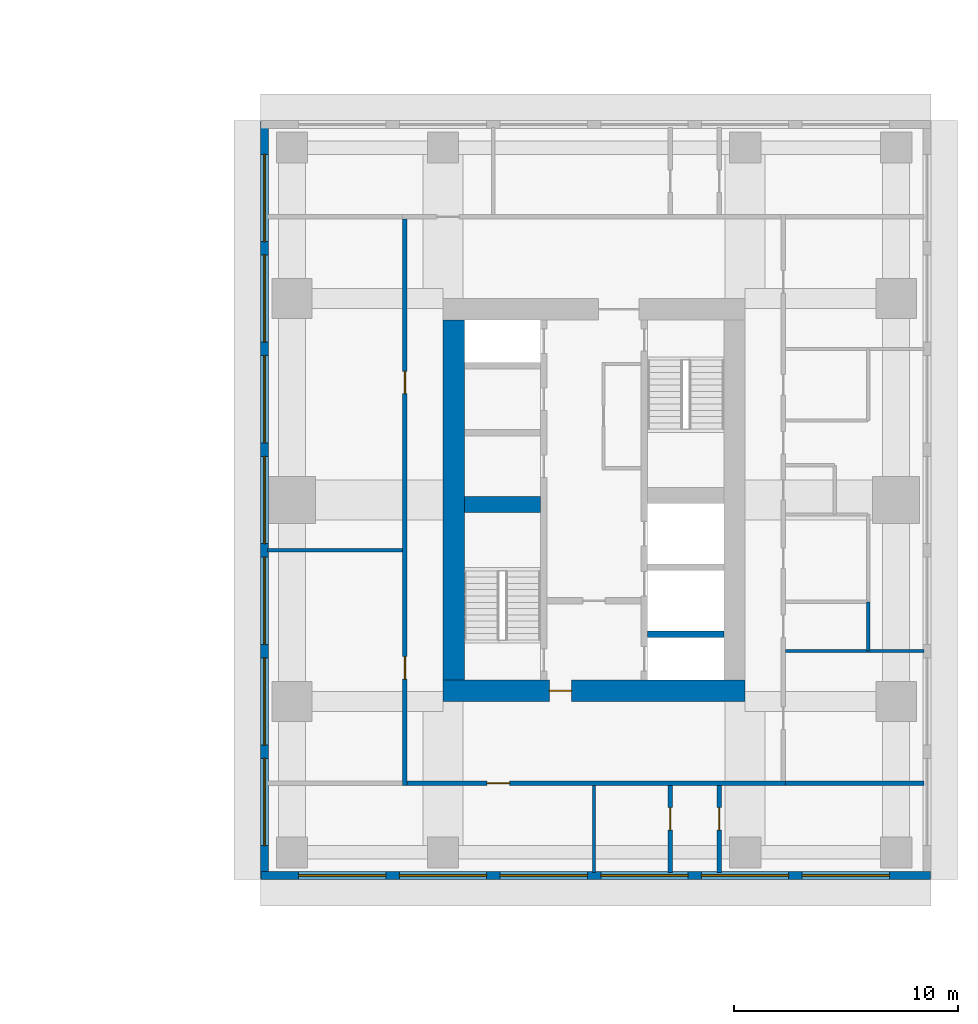
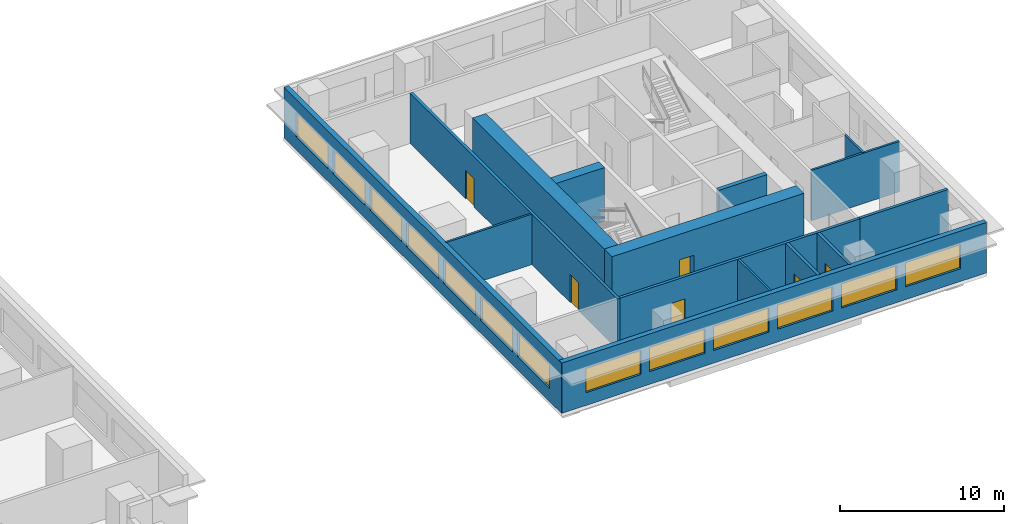
# One storey, part 6 of 11: 15 walls, 13 windows, 6 doors, 19 openings.
"""IFC4 building model written with IfcOpenShell, lengths in metres."""

from ifc_helpers import new_model, si_unit, direction, frame, frame_2d, origin, place, context, subcontext, project, spatial, rectangle, extrude, material, layer, layer_set, type_object, element, fill, save


model = new_model("IFC4")

# Units and contexts
model_context = context("Model", 3, precision=1e-05, world=origin(), true_north=direction((0.0, 1.0)))
body_context = subcontext(model_context, "Body", "Model", "MODEL_VIEW")
ifc_project = project(units=[si_unit("LENGTHUNIT", "METRE"), si_unit("AREAUNIT", "SQUARE_METRE"), si_unit("VOLUMEUNIT", "CUBIC_METRE"), si_unit("PLANEANGLEUNIT", "RADIAN"), si_unit("MASSUNIT", "GRAM", prefix="KILO")], contexts=[model_context])

# Site, building, storey
site_placement = place(None, origin())
site = spatial("IfcSite", under=ifc_project, at=site_placement, CompositionType="ELEMENT")
building_placement = place(site_placement, origin())
building = spatial("IfcBuilding", under=site, at=building_placement, Name="Namib Vertical Campus", CompositionType="ELEMENT")
storey_placement = place(building_placement, frame((0.0, 0.0, 189.0)))
storey = spatial("IfcBuildingStorey", under=building, at=storey_placement, Name="L44", CompositionType="ELEMENT", Elevation=189.0)

# Walls
ifc_material_1 = material(Name="Concrete C60/75", Category="concrete")
ifc_layer_1 = layer(ifc_material_1, 0.300048828125)
ifc_layer_set_1 = layer_set([ifc_layer_1], Name="Concrete C60/75")
wall_type_1 = type_object("IfcWallType", Name="Core inner wall 300", PredefinedType="SHEAR", material=ifc_layer_set_1)
wall_1_placement = place(storey_placement, frame((83.39990234375, 14.25, 0.0), z_axis=(0.0, 0.0, 1.0), x_axis=(1.0, 0.0, 0.0)))
element("IfcWall", 1, at=wall_1_placement, inside=storey, type_object=wall_type_1, Name="Core inner wall B L44 W5", PredefinedType="SHEAR", context=body_context, shape_type="SweptSolid", body=[
    extrude(rectangle(XDim=3.400146484375, YDim=0.300048828125, at=frame_2d((1.7001953125, 0.0))), origin(), (0.0, 0.0, 1.0), 4.0),
])
ifc_material_2 = material(Name="Concrete C60/75", Category="concrete")
ifc_layer_2 = layer(ifc_material_2, 0.699951171875)
ifc_layer_set_2 = layer_set([ifc_layer_2], Name="Concrete C60/75")
wall_type_2 = type_object("IfcWallType", Name="Core shear wall 700", PredefinedType="SHEAR", material=ifc_layer_set_2)
wall_2_placement = place(storey_placement, frame((75.199951171875, 20.050048828125, 0.0), z_axis=(0.0, 0.0, 1.0), x_axis=(1.0, 0.0, 0.0)))
element("IfcWall", 2, at=wall_2_placement, inside=storey, type_object=wall_type_2, Name="Core shear wall B L44 W3", PredefinedType="SHEAR", context=body_context, shape_type="SweptSolid", body=[
    extrude(rectangle(XDim=3.400146484375, YDim=0.699951171875, at=frame_2d((1.7001953125, 0.0))), origin(), (0.0, 0.0, 1.0), 4.0),
])

# Wall, opening, door
ifc_material_3 = material(Name="Concrete C60/75", Category="concrete")
ifc_layer_3 = layer(ifc_material_3, 0.949951171875)
ifc_layer_set_3 = layer_set([ifc_layer_3], Name="Concrete C60/75")
wall_type_3 = type_object("IfcWallType", Name="Core wall 950", PredefinedType="SHEAR", material=ifc_layer_set_3)
wall_3_placement = place(storey_placement, frame((74.25, 11.72509765625, 0.0), z_axis=(0.0, 0.0, 1.0), x_axis=(1.0, 0.0, 0.0)))
wall_3 = element("IfcWall", 3, at=wall_3_placement, inside=storey, type_object=wall_type_3, Name="Core wall B L44 1", PredefinedType="SHEAR", context=body_context, shape_type="SweptSolid", body=[
    extrude(rectangle(XDim=13.5, YDim=0.949951171875, at=frame_2d((6.75, 0.0))), origin(), (0.0, 0.0, 1.0), 4.0),
])
opening_1_placement = place(wall_3_placement, frame((4.75, 0.0, 0.0)))
opening_1 = element("IfcOpeningElement", 4, at=opening_1_placement, cuts=wall_3, Name="Opening FD5", PredefinedType="OPENING", context=body_context, shape_type="SweptSolid", body=[
    extrude(rectangle(XDim=1.0, YDim=2.10009765625, at=frame_2d((0.5, 1.050048828125))), frame((0.0, 0.48486328125, 0.0), z_axis=(0.0, -1.0, 0.0), x_axis=(1.0, 0.0, 0.0)), (0.0, 0.0, 1.0), 0.969970703125),
])
ifc_material_4 = material(Name="Steel fire door", Category="steel")
door_type_1 = type_object("IfcDoorType", Name="Fire door 1000x2100 120 min", OperationType="SINGLE_SWING_RIGHT", PredefinedType="DOOR", material=ifc_material_4)
door_1_placement = place(opening_1_placement, origin())
door_1 = element("IfcDoor", 5, at=door_1_placement, inside=storey, type_object=door_type_1, Name="Firefighting lobby door FD5 B L44", OperationType="SINGLE_SWING_LEFT", OverallHeight=2.10009765625, OverallWidth=1.0, PredefinedType="DOOR", context=body_context, shape_type="SweptSolid", body=[
    extrude(rectangle(XDim=1.0, YDim=2.10009765625, at=frame_2d((0.5, 1.050048828125))), frame((0.0, 0.02490234375, 0.0), z_axis=(0.0, -1.0, 0.0), x_axis=(1.0, 0.0, 0.0)), (0.0, 0.0, 1.0), 0.050048828125),
])
fill(opening_1, door_1)

# Wall
wall_4_placement = place(storey_placement, frame((74.72509765625, 28.300048828125, 0.0), z_axis=(0.0, 0.0, 1.0), x_axis=(0.0, -1.0, 0.0)))
element("IfcWall", 6, at=wall_4_placement, inside=storey, type_object=wall_type_3, Name="Core wall B L44 4", PredefinedType="SHEAR", context=body_context, shape_type="SweptSolid", body=[
    extrude(rectangle(XDim=16.10009765625, YDim=0.949951171875, at=frame_2d((8.050048828125, 0.0))), origin(), (0.0, 0.0, 1.0), 4.0),
])

# Wall, opening, door
ifc_material_5 = material(Name="Concrete masonry", Category="masonry")
ifc_layer_4 = layer(ifc_material_5, 0.199951171875)
ifc_layer_set_4 = layer_set([ifc_layer_4], Name="Corridor wall 200")
wall_type_4 = type_object("IfcWallType", Name="Corridor wall 200", PredefinedType="SOLIDWALL", material=ifc_layer_set_4)
wall_5_placement = place(storey_placement, frame((72.64990234375, 7.60009765625, 0.0), z_axis=(0.0, 0.0, 1.0), x_axis=(1.0, 0.0, 0.0)))
wall_5 = element("IfcWall", 7, at=wall_5_placement, inside=storey, type_object=wall_type_4, Name="Corridor wall B L44 CS", PredefinedType="SOLIDWALL", context=body_context, shape_type="SweptSolid", body=[
    extrude(rectangle(XDim=16.900146484375, YDim=0.199951171875, at=frame_2d((8.4501953125, 0.0))), origin(), (0.0, 0.0, 1.0), 3.75),
])
opening_2_placement = place(wall_5_placement, frame((3.574951171875, 0.0, 0.0)))
opening_2 = element("IfcOpeningElement", 8, at=opening_2_placement, cuts=wall_5, Name="Opening CD1", PredefinedType="OPENING", context=body_context, shape_type="SweptSolid", body=[
    extrude(rectangle(XDim=1.0, YDim=2.10009765625, at=frame_2d((0.5, 1.050048828125))), frame((0.0, 0.10986328125, 0.0), z_axis=(0.0, -1.0, 0.0), x_axis=(1.0, 0.0, 0.0)), (0.0, 0.0, 1.0), 0.219970703125),
])
ifc_material_6 = material(Name="Timber fire door leaf", Category="wood")
door_type_2 = type_object("IfcDoorType", Name="Corridor door 1000x2100 20 min", OperationType="SINGLE_SWING_LEFT", PredefinedType="DOOR", material=ifc_material_6)
door_2_placement = place(opening_2_placement, frame((1.0, 0.0, 0.0), z_axis=(0.0, 0.0, 1.0), x_axis=(-1.0, 0.0, 0.0)))
door_2 = element("IfcDoor", 9, at=door_2_placement, inside=storey, type_object=door_type_2, Name="Door CD1 B44-01", OperationType="SINGLE_SWING_LEFT", OverallHeight=2.10009765625, OverallWidth=1.0, PredefinedType="DOOR", context=body_context, shape_type="SweptSolid", body=[
    extrude(rectangle(XDim=1.0, YDim=2.10009765625, at=frame_2d((0.5, 1.050048828125))), frame((0.0, 0.02490234375, 0.0), z_axis=(0.0, -1.0, 0.0), x_axis=(1.0, 0.0, 0.0)), (0.0, 0.0, 1.0), 0.050048828125),
])
fill(opening_2, door_2)

# Wall, openings, doors
wall_6_placement = place(storey_placement, frame((72.550048828125, 32.800048828125, 0.0), z_axis=(0.0, 0.0, 1.0), x_axis=(0.0, -1.0, 0.0)))
wall_6 = element("IfcWall", 10, at=wall_6_placement, inside=storey, type_object=wall_type_4, Name="Corridor wall B L44 CW", PredefinedType="SOLIDWALL", context=body_context, shape_type="SweptSolid", body=[
    extrude(rectangle(XDim=25.300048828125, YDim=0.199951171875, at=frame_2d((12.64990234375, 0.0))), origin(), (0.0, 0.0, 1.0), 3.75),
])
opening_3_placement = place(wall_6_placement, frame((19.550048828125, 0.0, 0.0)))
opening_3 = element("IfcOpeningElement", 11, at=opening_3_placement, cuts=wall_6, Name="Opening CD1", PredefinedType="OPENING", context=body_context, shape_type="SweptSolid", body=[
    extrude(rectangle(XDim=1.0, YDim=2.10009765625, at=frame_2d((0.5, 1.050048828125))), frame((0.0, 0.10986328125, 0.0), z_axis=(0.0, -1.0, 0.0), x_axis=(1.0, 0.0, 0.0)), (0.0, 0.0, 1.0), 0.219970703125),
])
opening_4_placement = place(wall_6_placement, frame((6.800048828125, 0.0, 0.0)))
opening_4 = element("IfcOpeningElement", 12, at=opening_4_placement, cuts=wall_6, Name="Opening CD1", PredefinedType="OPENING", context=body_context, shape_type="SweptSolid", body=[
    extrude(rectangle(XDim=1.0, YDim=2.10009765625, at=frame_2d((0.5, 1.050048828125))), frame((0.0, 0.10986328125, 0.0), z_axis=(0.0, -1.0, 0.0), x_axis=(1.0, 0.0, 0.0)), (0.0, 0.0, 1.0), 0.219970703125),
])
door_3_placement = place(opening_3_placement, frame((1.0, 0.0, 0.0), z_axis=(0.0, 0.0, 1.0), x_axis=(-1.0, 0.0, 0.0)))
door_3 = element("IfcDoor", 13, at=door_3_placement, inside=storey, type_object=door_type_2, Name="Door CD1 B44-14", OperationType="SINGLE_SWING_RIGHT", OverallHeight=2.10009765625, OverallWidth=1.0, PredefinedType="DOOR", context=body_context, shape_type="SweptSolid", body=[
    extrude(rectangle(XDim=1.0, YDim=2.10009765625, at=frame_2d((0.5, 1.050048828125))), frame((0.0, 0.02490234375, 0.0), z_axis=(0.0, -1.0, 0.0), x_axis=(1.0, 0.0, 0.0)), (0.0, 0.0, 1.0), 0.050048828125),
])
fill(opening_3, door_3)
door_4_placement = place(opening_4_placement, frame((1.0, 0.0, 0.0), z_axis=(0.0, 0.0, 1.0), x_axis=(-1.0, 0.0, 0.0)))
door_4 = element("IfcDoor", 14, at=door_4_placement, inside=storey, type_object=door_type_2, Name="Door CD1 B44-15", OperationType="SINGLE_SWING_RIGHT", OverallHeight=2.10009765625, OverallWidth=1.0, PredefinedType="DOOR", context=body_context, shape_type="SweptSolid", body=[
    extrude(rectangle(XDim=1.0, YDim=2.10009765625, at=frame_2d((0.5, 1.050048828125))), frame((0.0, 0.02490234375, 0.0), z_axis=(0.0, -1.0, 0.0), x_axis=(1.0, 0.0, 0.0)), (0.0, 0.0, 1.0), 0.050048828125),
])
fill(opening_4, door_4)

# Wall, opening, door
wall_7_placement = place(storey_placement, frame((84.39990234375, 3.60009765625, 0.0), z_axis=(0.0, 0.0, 1.0), x_axis=(0.0, 1.0, 0.0)))
wall_7 = element("IfcWall", 15, at=wall_7_placement, inside=storey, type_object=wall_type_4, Name="Corridor wall B L44 SPS1", PredefinedType="SOLIDWALL", context=body_context, shape_type="SweptSolid", body=[
    extrude(rectangle(XDim=3.89990234375, YDim=0.199951171875, at=frame_2d((1.949951171875, 0.0))), origin(), (0.0, 0.0, 1.0), 3.75),
])
opening_5_placement = place(wall_7_placement, frame((1.89990234375, 0.0, 0.0)))
opening_5 = element("IfcOpeningElement", 16, at=opening_5_placement, cuts=wall_7, Name="Opening CD1", PredefinedType="OPENING", context=body_context, shape_type="SweptSolid", body=[
    extrude(rectangle(XDim=1.0, YDim=2.10009765625, at=frame_2d((0.5, 1.050048828125))), frame((0.0, 0.10986328125, 0.0), z_axis=(0.0, -1.0, 0.0), x_axis=(1.0, 0.0, 0.0)), (0.0, 0.0, 1.0), 0.219970703125),
])
door_5_placement = place(opening_5_placement, origin())
door_5 = element("IfcDoor", 17, at=door_5_placement, inside=storey, type_object=door_type_2, Name="Door CD1 B44-02", OperationType="SINGLE_SWING_RIGHT", OverallHeight=2.10009765625, OverallWidth=1.0, PredefinedType="DOOR", context=body_context, shape_type="SweptSolid", body=[
    extrude(rectangle(XDim=1.0, YDim=2.10009765625, at=frame_2d((0.5, 1.050048828125))), frame((0.0, 0.02490234375, 0.0), z_axis=(0.0, -1.0, 0.0), x_axis=(1.0, 0.0, 0.0)), (0.0, 0.0, 1.0), 0.050048828125),
])
fill(opening_5, door_5)

wall_8_placement = place(storey_placement, frame((86.60009765625, 7.5, 0.0), z_axis=(0.0, 0.0, 1.0), x_axis=(0.0, -1.0, 0.0)))
wall_8 = element("IfcWall", 18, at=wall_8_placement, inside=storey, type_object=wall_type_4, Name="Corridor wall B L44 SPS2", PredefinedType="SOLIDWALL", context=body_context, shape_type="SweptSolid", body=[
    extrude(rectangle(XDim=3.89990234375, YDim=0.199951171875, at=frame_2d((1.949951171875, 0.0))), origin(), (0.0, 0.0, 1.0), 3.75),
])
opening_6_placement = place(wall_8_placement, frame((1.0, 0.0, 0.0)))
opening_6 = element("IfcOpeningElement", 19, at=opening_6_placement, cuts=wall_8, Name="Opening CD1", PredefinedType="OPENING", context=body_context, shape_type="SweptSolid", body=[
    extrude(rectangle(XDim=1.0, YDim=2.10009765625, at=frame_2d((0.5, 1.050048828125))), frame((0.0, 0.10986328125, 0.0), z_axis=(0.0, -1.0, 0.0), x_axis=(1.0, 0.0, 0.0)), (0.0, 0.0, 1.0), 0.219970703125),
])
door_6_placement = place(opening_6_placement, origin())
door_6 = element("IfcDoor", 20, at=door_6_placement, inside=storey, type_object=door_type_2, Name="Door CD1 B44-03", OperationType="SINGLE_SWING_LEFT", OverallHeight=2.10009765625, OverallWidth=1.0, PredefinedType="DOOR", context=body_context, shape_type="SweptSolid", body=[
    extrude(rectangle(XDim=1.0, YDim=2.10009765625, at=frame_2d((0.5, 1.050048828125))), frame((0.0, 0.02490234375, 0.0), z_axis=(0.0, -1.0, 0.0), x_axis=(1.0, 0.0, 0.0)), (0.0, 0.0, 1.0), 0.050048828125),
])
fill(opening_6, door_6)

# Wall
wall_9_placement = place(storey_placement, frame((89.550048828125, 7.60009765625, 0.0), z_axis=(0.0, 0.0, 1.0), x_axis=(1.0, 0.0, 0.0)))
element("IfcWall", 21, at=wall_9_placement, inside=storey, type_object=wall_type_4, Name="Partition B L44 BSE", PredefinedType="SOLIDWALL", context=body_context, shape_type="SweptSolid", body=[
    extrude(rectangle(XDim=6.199951171875, YDim=0.199951171875, at=frame_2d((3.10009765625, 0.0))), origin(), (0.0, 0.0, 1.0), 3.75),
])

# Wall, openings, windows
ifc_material_7 = material(Name="Concrete C40/50", Category="concrete")
ifc_layer_5 = layer(ifc_material_7, 0.35009765625)
ifc_layer_set_5 = layer_set([ifc_layer_5], Name="Concrete C40/50")
wall_type_5 = type_object("IfcWallType", Name="External wall 350 bush-hammered concrete", PredefinedType="STANDARD", material=ifc_layer_set_5)
wall_10_placement = place(storey_placement, frame((66.1201171875, 3.47509765625, 0.0), z_axis=(0.0, 0.0, 1.0), x_axis=(1.0, 0.0, 0.0)))
wall_10 = element("IfcWall", 22, at=wall_10_placement, inside=storey, type_object=wall_type_5, Name="External wall L44 F01", PredefinedType="STANDARD", context=body_context, shape_type="SweptSolid", body=[
    extrude(rectangle(XDim=29.909912109375, YDim=0.35009765625, at=frame_2d((14.955078125, 0.0))), origin(), (0.0, 0.0, 1.0), 3.75),
])
opening_7_placement = place(wall_10_placement, frame((1.679931640625, 0.0, 0.949951171875)))
opening_7 = element("IfcOpeningElement", 23, at=opening_7_placement, cuts=wall_10, Name="Opening W3", PredefinedType="OPENING", context=body_context, shape_type="SweptSolid", body=[
    extrude(rectangle(XDim=3.89990234375, YDim=1.800048828125, at=frame_2d((1.949951171875, 0.89990234375))), frame((0.0, 0.18505859375, 0.0), z_axis=(0.0, -1.0, 0.0), x_axis=(1.0, 0.0, 0.0)), (0.0, 0.0, 1.0), 0.3701171875),
])
opening_8_placement = place(wall_10_placement, frame((6.179931640625, 0.0, 0.949951171875)))
opening_8 = element("IfcOpeningElement", 24, at=opening_8_placement, cuts=wall_10, Name="Opening W3", PredefinedType="OPENING", context=body_context, shape_type="SweptSolid", body=[
    extrude(rectangle(XDim=3.89990234375, YDim=1.800048828125, at=frame_2d((1.949951171875, 0.89990234375))), frame((0.0, 0.18505859375, 0.0), z_axis=(0.0, -1.0, 0.0), x_axis=(1.0, 0.0, 0.0)), (0.0, 0.0, 1.0), 0.3701171875),
])
opening_9_placement = place(wall_10_placement, frame((10.679931640625, 0.0, 0.949951171875)))
opening_9 = element("IfcOpeningElement", 25, at=opening_9_placement, cuts=wall_10, Name="Opening W3", PredefinedType="OPENING", context=body_context, shape_type="SweptSolid", body=[
    extrude(rectangle(XDim=3.89990234375, YDim=1.800048828125, at=frame_2d((1.949951171875, 0.89990234375))), frame((0.0, 0.18505859375, 0.0), z_axis=(0.0, -1.0, 0.0), x_axis=(1.0, 0.0, 0.0)), (0.0, 0.0, 1.0), 0.3701171875),
])
opening_10_placement = place(wall_10_placement, frame((15.179931640625, 0.0, 0.949951171875)))
opening_10 = element("IfcOpeningElement", 26, at=opening_10_placement, cuts=wall_10, Name="Opening W3", PredefinedType="OPENING", context=body_context, shape_type="SweptSolid", body=[
    extrude(rectangle(XDim=3.89990234375, YDim=1.800048828125, at=frame_2d((1.949951171875, 0.89990234375))), frame((0.0, 0.18505859375, 0.0), z_axis=(0.0, -1.0, 0.0), x_axis=(1.0, 0.0, 0.0)), (0.0, 0.0, 1.0), 0.3701171875),
])
opening_11_placement = place(wall_10_placement, frame((19.679931640625, 0.0, 0.949951171875)))
opening_11 = element("IfcOpeningElement", 27, at=opening_11_placement, cuts=wall_10, Name="Opening W3", PredefinedType="OPENING", context=body_context, shape_type="SweptSolid", body=[
    extrude(rectangle(XDim=3.89990234375, YDim=1.800048828125, at=frame_2d((1.949951171875, 0.89990234375))), frame((0.0, 0.18505859375, 0.0), z_axis=(0.0, -1.0, 0.0), x_axis=(1.0, 0.0, 0.0)), (0.0, 0.0, 1.0), 0.3701171875),
])
opening_12_placement = place(wall_10_placement, frame((24.179931640625, 0.0, 0.949951171875)))
opening_12 = element("IfcOpeningElement", 28, at=opening_12_placement, cuts=wall_10, Name="Opening W3", PredefinedType="OPENING", context=body_context, shape_type="SweptSolid", body=[
    extrude(rectangle(XDim=3.89990234375, YDim=1.800048828125, at=frame_2d((1.949951171875, 0.89990234375))), frame((0.0, 0.18505859375, 0.0), z_axis=(0.0, -1.0, 0.0), x_axis=(1.0, 0.0, 0.0)), (0.0, 0.0, 1.0), 0.3701171875),
])
ifc_material_8 = material(Name="Dark tinted glass in black aluminium frame", Category="aluminium")
window_type = type_object("IfcWindowType", Name="Ribbon window 3900x1800", PartitioningType="SINGLE_PANEL", PredefinedType="WINDOW", material=ifc_material_8)
window_1_placement = place(opening_7_placement, origin())
window_1 = element("IfcWindow", 29, at=window_1_placement, inside=storey, type_object=window_type, Name="Window W3 L44 F01-1", OverallHeight=1.800048828125, OverallWidth=3.89990234375, PartitioningType="SINGLE_PANEL", PredefinedType="WINDOW", context=body_context, shape_type="SweptSolid", body=[
    extrude(rectangle(XDim=3.89990234375, YDim=1.800048828125, at=frame_2d((1.949951171875, 0.89990234375))), frame((0.0, 0.030029296875, 0.0), z_axis=(0.0, -1.0, 0.0), x_axis=(1.0, 0.0, 0.0)), (0.0, 0.0, 1.0), 0.06005859375),
])
fill(opening_7, window_1)
window_2_placement = place(opening_8_placement, origin())
window_2 = element("IfcWindow", 30, at=window_2_placement, inside=storey, type_object=window_type, Name="Window W3 L44 F01-2", OverallHeight=1.800048828125, OverallWidth=3.89990234375, PartitioningType="SINGLE_PANEL", PredefinedType="WINDOW", context=body_context, shape_type="SweptSolid", body=[
    extrude(rectangle(XDim=3.89990234375, YDim=1.800048828125, at=frame_2d((1.949951171875, 0.89990234375))), frame((0.0, 0.030029296875, 0.0), z_axis=(0.0, -1.0, 0.0), x_axis=(1.0, 0.0, 0.0)), (0.0, 0.0, 1.0), 0.06005859375),
])
fill(opening_8, window_2)
window_3_placement = place(opening_9_placement, origin())
window_3 = element("IfcWindow", 31, at=window_3_placement, inside=storey, type_object=window_type, Name="Window W3 L44 F01-3", OverallHeight=1.800048828125, OverallWidth=3.89990234375, PartitioningType="SINGLE_PANEL", PredefinedType="WINDOW", context=body_context, shape_type="SweptSolid", body=[
    extrude(rectangle(XDim=3.89990234375, YDim=1.800048828125, at=frame_2d((1.949951171875, 0.89990234375))), frame((0.0, 0.030029296875, 0.0), z_axis=(0.0, -1.0, 0.0), x_axis=(1.0, 0.0, 0.0)), (0.0, 0.0, 1.0), 0.06005859375),
])
fill(opening_9, window_3)
window_4_placement = place(opening_10_placement, origin())
window_4 = element("IfcWindow", 32, at=window_4_placement, inside=storey, type_object=window_type, Name="Window W3 L44 F01-4", OverallHeight=1.800048828125, OverallWidth=3.89990234375, PartitioningType="SINGLE_PANEL", PredefinedType="WINDOW", context=body_context, shape_type="SweptSolid", body=[
    extrude(rectangle(XDim=3.89990234375, YDim=1.800048828125, at=frame_2d((1.949951171875, 0.89990234375))), frame((0.0, 0.030029296875, 0.0), z_axis=(0.0, -1.0, 0.0), x_axis=(1.0, 0.0, 0.0)), (0.0, 0.0, 1.0), 0.06005859375),
])
fill(opening_10, window_4)
window_5_placement = place(opening_11_placement, origin())
window_5 = element("IfcWindow", 33, at=window_5_placement, inside=storey, type_object=window_type, Name="Window W3 L44 F01-5", OverallHeight=1.800048828125, OverallWidth=3.89990234375, PartitioningType="SINGLE_PANEL", PredefinedType="WINDOW", context=body_context, shape_type="SweptSolid", body=[
    extrude(rectangle(XDim=3.89990234375, YDim=1.800048828125, at=frame_2d((1.949951171875, 0.89990234375))), frame((0.0, 0.030029296875, 0.0), z_axis=(0.0, -1.0, 0.0), x_axis=(1.0, 0.0, 0.0)), (0.0, 0.0, 1.0), 0.06005859375),
])
fill(opening_11, window_5)
window_6_placement = place(opening_12_placement, origin())
window_6 = element("IfcWindow", 34, at=window_6_placement, inside=storey, type_object=window_type, Name="Window W3 L44 F01-6", OverallHeight=1.800048828125, OverallWidth=3.89990234375, PartitioningType="SINGLE_PANEL", PredefinedType="WINDOW", context=body_context, shape_type="SweptSolid", body=[
    extrude(rectangle(XDim=3.89990234375, YDim=1.800048828125, at=frame_2d((1.949951171875, 0.89990234375))), frame((0.0, 0.030029296875, 0.0), z_axis=(0.0, -1.0, 0.0), x_axis=(1.0, 0.0, 0.0)), (0.0, 0.0, 1.0), 0.06005859375),
])
fill(opening_12, window_6)

wall_11_placement = place(storey_placement, frame((66.27490234375, 37.179931640625, 0.0), z_axis=(0.0, 0.0, 1.0), x_axis=(0.0, -1.0, 0.0)))
wall_11 = element("IfcWall", 35, at=wall_11_placement, inside=storey, type_object=wall_type_5, Name="External wall L44 F04", PredefinedType="STANDARD", context=body_context, shape_type="SweptSolid", body=[
    extrude(rectangle(XDim=33.85986328125, YDim=0.35009765625, at=frame_2d((16.929931640625, 0.0))), origin(), (0.0, 0.0, 1.0), 3.75),
])
opening_13_placement = place(wall_11_placement, frame((28.47998046875, 0.0, 0.949951171875)))
opening_13 = element("IfcOpeningElement", 36, at=opening_13_placement, cuts=wall_11, Name="Opening W3", PredefinedType="OPENING", context=body_context, shape_type="SweptSolid", body=[
    extrude(rectangle(XDim=3.89990234375, YDim=1.800048828125, at=frame_2d((1.949951171875, 0.89990234375))), frame((0.0, 0.18505859375, 0.0), z_axis=(0.0, -1.0, 0.0), x_axis=(1.0, 0.0, 0.0)), (0.0, 0.0, 1.0), 0.3701171875),
])
opening_14_placement = place(wall_11_placement, frame((23.97998046875, 0.0, 0.949951171875)))
opening_14 = element("IfcOpeningElement", 37, at=opening_14_placement, cuts=wall_11, Name="Opening W3", PredefinedType="OPENING", context=body_context, shape_type="SweptSolid", body=[
    extrude(rectangle(XDim=3.89990234375, YDim=1.800048828125, at=frame_2d((1.949951171875, 0.89990234375))), frame((0.0, 0.18505859375, 0.0), z_axis=(0.0, -1.0, 0.0), x_axis=(1.0, 0.0, 0.0)), (0.0, 0.0, 1.0), 0.3701171875),
])
opening_15_placement = place(wall_11_placement, frame((19.47998046875, 0.0, 0.949951171875)))
opening_15 = element("IfcOpeningElement", 38, at=opening_15_placement, cuts=wall_11, Name="Opening W3", PredefinedType="OPENING", context=body_context, shape_type="SweptSolid", body=[
    extrude(rectangle(XDim=3.89990234375, YDim=1.800048828125, at=frame_2d((1.949951171875, 0.89990234375))), frame((0.0, 0.18505859375, 0.0), z_axis=(0.0, -1.0, 0.0), x_axis=(1.0, 0.0, 0.0)), (0.0, 0.0, 1.0), 0.3701171875),
])
opening_16_placement = place(wall_11_placement, frame((14.97998046875, 0.0, 0.949951171875)))
opening_16 = element("IfcOpeningElement", 39, at=opening_16_placement, cuts=wall_11, Name="Opening W3", PredefinedType="OPENING", context=body_context, shape_type="SweptSolid", body=[
    extrude(rectangle(XDim=3.89990234375, YDim=1.800048828125, at=frame_2d((1.949951171875, 0.89990234375))), frame((0.0, 0.18505859375, 0.0), z_axis=(0.0, -1.0, 0.0), x_axis=(1.0, 0.0, 0.0)), (0.0, 0.0, 1.0), 0.3701171875),
])
opening_17_placement = place(wall_11_placement, frame((10.47998046875, 0.0, 0.949951171875)))
opening_17 = element("IfcOpeningElement", 40, at=opening_17_placement, cuts=wall_11, Name="Opening W3", PredefinedType="OPENING", context=body_context, shape_type="SweptSolid", body=[
    extrude(rectangle(XDim=3.89990234375, YDim=1.800048828125, at=frame_2d((1.949951171875, 0.89990234375))), frame((0.0, 0.18505859375, 0.0), z_axis=(0.0, -1.0, 0.0), x_axis=(1.0, 0.0, 0.0)), (0.0, 0.0, 1.0), 0.3701171875),
])
opening_18_placement = place(wall_11_placement, frame((5.97998046875, 0.0, 0.949951171875)))
opening_18 = element("IfcOpeningElement", 41, at=opening_18_placement, cuts=wall_11, Name="Opening W3", PredefinedType="OPENING", context=body_context, shape_type="SweptSolid", body=[
    extrude(rectangle(XDim=3.89990234375, YDim=1.800048828125, at=frame_2d((1.949951171875, 0.89990234375))), frame((0.0, 0.18505859375, 0.0), z_axis=(0.0, -1.0, 0.0), x_axis=(1.0, 0.0, 0.0)), (0.0, 0.0, 1.0), 0.3701171875),
])
opening_19_placement = place(wall_11_placement, frame((1.47998046875, 0.0, 0.949951171875)))
opening_19 = element("IfcOpeningElement", 42, at=opening_19_placement, cuts=wall_11, Name="Opening W3", PredefinedType="OPENING", context=body_context, shape_type="SweptSolid", body=[
    extrude(rectangle(XDim=3.89990234375, YDim=1.800048828125, at=frame_2d((1.949951171875, 0.89990234375))), frame((0.0, 0.18505859375, 0.0), z_axis=(0.0, -1.0, 0.0), x_axis=(1.0, 0.0, 0.0)), (0.0, 0.0, 1.0), 0.3701171875),
])
window_7_placement = place(opening_13_placement, origin())
window_7 = element("IfcWindow", 43, at=window_7_placement, inside=storey, type_object=window_type, Name="Window W3 L44 F04-1", OverallHeight=1.800048828125, OverallWidth=3.89990234375, PartitioningType="SINGLE_PANEL", PredefinedType="WINDOW", context=body_context, shape_type="SweptSolid", body=[
    extrude(rectangle(XDim=3.89990234375, YDim=1.800048828125, at=frame_2d((1.949951171875, 0.89990234375))), frame((0.0, 0.030029296875, 0.0), z_axis=(0.0, -1.0, 0.0), x_axis=(1.0, 0.0, 0.0)), (0.0, 0.0, 1.0), 0.06005859375),
])
fill(opening_13, window_7)
window_8_placement = place(opening_14_placement, origin())
window_8 = element("IfcWindow", 44, at=window_8_placement, inside=storey, type_object=window_type, Name="Window W3 L44 F04-2", OverallHeight=1.800048828125, OverallWidth=3.89990234375, PartitioningType="SINGLE_PANEL", PredefinedType="WINDOW", context=body_context, shape_type="SweptSolid", body=[
    extrude(rectangle(XDim=3.89990234375, YDim=1.800048828125, at=frame_2d((1.949951171875, 0.89990234375))), frame((0.0, 0.030029296875, 0.0), z_axis=(0.0, -1.0, 0.0), x_axis=(1.0, 0.0, 0.0)), (0.0, 0.0, 1.0), 0.06005859375),
])
fill(opening_14, window_8)
window_9_placement = place(opening_15_placement, origin())
window_9 = element("IfcWindow", 45, at=window_9_placement, inside=storey, type_object=window_type, Name="Window W3 L44 F04-3", OverallHeight=1.800048828125, OverallWidth=3.89990234375, PartitioningType="SINGLE_PANEL", PredefinedType="WINDOW", context=body_context, shape_type="SweptSolid", body=[
    extrude(rectangle(XDim=3.89990234375, YDim=1.800048828125, at=frame_2d((1.949951171875, 0.89990234375))), frame((0.0, 0.030029296875, 0.0), z_axis=(0.0, -1.0, 0.0), x_axis=(1.0, 0.0, 0.0)), (0.0, 0.0, 1.0), 0.06005859375),
])
fill(opening_15, window_9)
window_10_placement = place(opening_16_placement, origin())
window_10 = element("IfcWindow", 46, at=window_10_placement, inside=storey, type_object=window_type, Name="Window W3 L44 F04-4", OverallHeight=1.800048828125, OverallWidth=3.89990234375, PartitioningType="SINGLE_PANEL", PredefinedType="WINDOW", context=body_context, shape_type="SweptSolid", body=[
    extrude(rectangle(XDim=3.89990234375, YDim=1.800048828125, at=frame_2d((1.949951171875, 0.89990234375))), frame((0.0, 0.030029296875, 0.0), z_axis=(0.0, -1.0, 0.0), x_axis=(1.0, 0.0, 0.0)), (0.0, 0.0, 1.0), 0.06005859375),
])
fill(opening_16, window_10)
window_11_placement = place(opening_17_placement, origin())
window_11 = element("IfcWindow", 47, at=window_11_placement, inside=storey, type_object=window_type, Name="Window W3 L44 F04-5", OverallHeight=1.800048828125, OverallWidth=3.89990234375, PartitioningType="SINGLE_PANEL", PredefinedType="WINDOW", context=body_context, shape_type="SweptSolid", body=[
    extrude(rectangle(XDim=3.89990234375, YDim=1.800048828125, at=frame_2d((1.949951171875, 0.89990234375))), frame((0.0, 0.030029296875, 0.0), z_axis=(0.0, -1.0, 0.0), x_axis=(1.0, 0.0, 0.0)), (0.0, 0.0, 1.0), 0.06005859375),
])
fill(opening_17, window_11)
window_12_placement = place(opening_18_placement, origin())
window_12 = element("IfcWindow", 48, at=window_12_placement, inside=storey, type_object=window_type, Name="Window W3 L44 F04-6", OverallHeight=1.800048828125, OverallWidth=3.89990234375, PartitioningType="SINGLE_PANEL", PredefinedType="WINDOW", context=body_context, shape_type="SweptSolid", body=[
    extrude(rectangle(XDim=3.89990234375, YDim=1.800048828125, at=frame_2d((1.949951171875, 0.89990234375))), frame((0.0, 0.030029296875, 0.0), z_axis=(0.0, -1.0, 0.0), x_axis=(1.0, 0.0, 0.0)), (0.0, 0.0, 1.0), 0.06005859375),
])
fill(opening_18, window_12)
window_13_placement = place(opening_19_placement, origin())
window_13 = element("IfcWindow", 49, at=window_13_placement, inside=storey, type_object=window_type, Name="Window W3 L44 F04-7", OverallHeight=1.800048828125, OverallWidth=3.89990234375, PartitioningType="SINGLE_PANEL", PredefinedType="WINDOW", context=body_context, shape_type="SweptSolid", body=[
    extrude(rectangle(XDim=3.89990234375, YDim=1.800048828125, at=frame_2d((1.949951171875, 0.89990234375))), frame((0.0, 0.030029296875, 0.0), z_axis=(0.0, -1.0, 0.0), x_axis=(1.0, 0.0, 0.0)), (0.0, 0.0, 1.0), 0.06005859375),
])
fill(opening_19, window_13)

# Walls
ifc_material_9 = material(Name="Gypsum board on steel studs", Category="steel")
ifc_layer_6 = layer(ifc_material_9, 0.14990234375)
ifc_layer_set_6 = layer_set([ifc_layer_6], Name="Gypsum board on steel studs")
wall_type_6 = type_object("IfcWallType", Name="Partition 150", PredefinedType="PARTITIONING", material=ifc_layer_set_6)
wall_12_placement = place(storey_placement, frame((81.0, 3.60009765625, 0.0), z_axis=(0.0, 0.0, 1.0), x_axis=(0.0, 1.0, 0.0)))
element("IfcWall", 50, at=wall_12_placement, inside=storey, type_object=wall_type_6, Name="Partition B L44 PS1", PredefinedType="PARTITIONING", context=body_context, shape_type="SweptSolid", body=[
    extrude(rectangle(XDim=3.89990234375, YDim=0.14990234375, at=frame_2d((1.949951171875, 0.0))), origin(), (0.0, 0.0, 1.0), 3.75),
])
wall_13_placement = place(storey_placement, frame((89.550048828125, 13.5, 0.0), z_axis=(0.0, 0.0, 1.0), x_axis=(1.0, 0.0, 0.0)))
element("IfcWall", 51, at=wall_13_placement, inside=storey, type_object=wall_type_6, Name="Partition B L44 PE1", PredefinedType="PARTITIONING", context=body_context, shape_type="SweptSolid", body=[
    extrude(rectangle(XDim=6.199951171875, YDim=0.14990234375, at=frame_2d((3.10009765625, 0.0))), origin(), (0.0, 0.0, 1.0), 3.75),
])
wall_14_placement = place(storey_placement, frame((66.39990234375, 18.0, 0.0), z_axis=(0.0, 0.0, 1.0), x_axis=(1.0, 0.0, 0.0)))
element("IfcWall", 52, at=wall_14_placement, inside=storey, type_object=wall_type_6, Name="Partition B L44 PW1", PredefinedType="PARTITIONING", context=body_context, shape_type="SweptSolid", body=[
    extrude(rectangle(XDim=6.050048828125, YDim=0.14990234375, at=frame_2d((3.02490234375, 0.0))), origin(), (0.0, 0.0, 1.0), 3.75),
])
wall_15_placement = place(storey_placement, frame((93.25, 13.5, 0.0), z_axis=(0.0, 0.0, 1.0), x_axis=(0.0, 1.0, 0.0)))
element("IfcWall", 53, at=wall_15_placement, inside=storey, type_object=wall_type_6, Name="Partition B L44 WB1", PredefinedType="PARTITIONING", context=body_context, shape_type="SweptSolid", body=[
    extrude(rectangle(XDim=2.199951171875, YDim=0.14990234375, at=frame_2d((1.10009765625, 0.0))), origin(), (0.0, 0.0, 1.0), 3.75),
])

save(model, "model.ifc")
